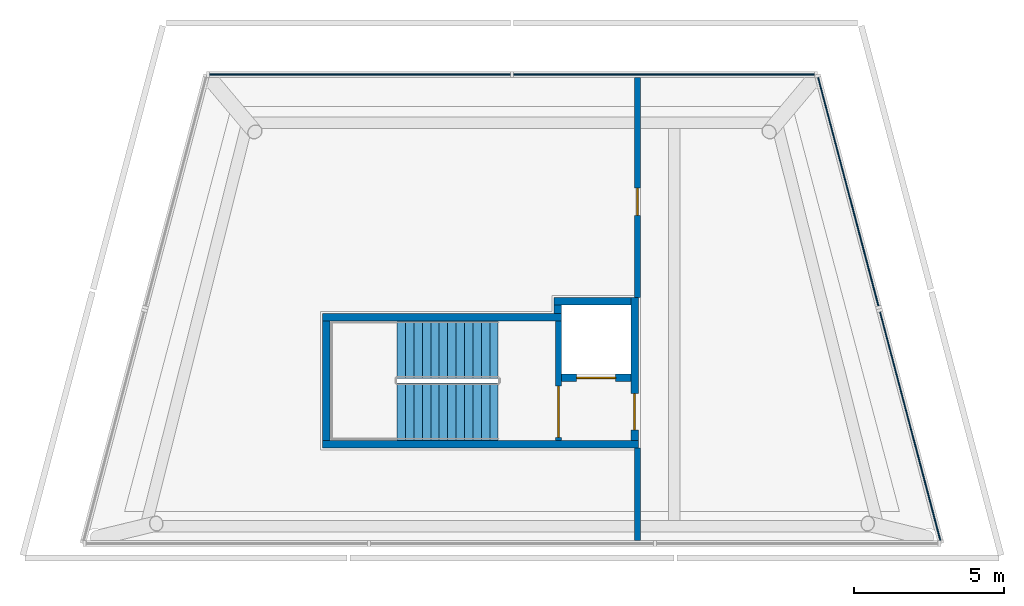
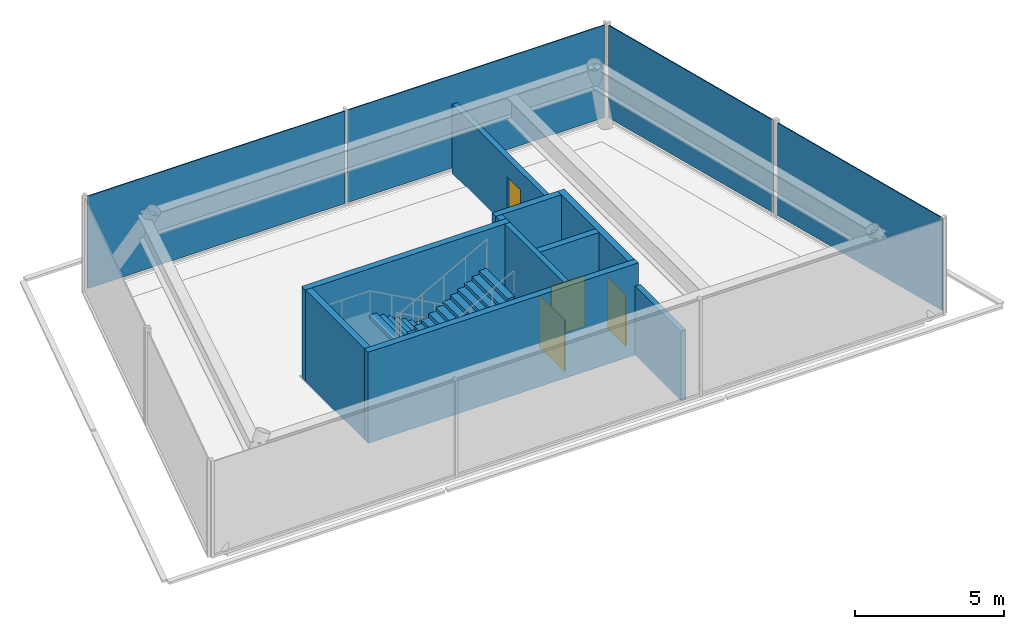
# One storey, part 2 of 3: 10 walls, 4 doors, 4 plates, 2 stair flights, 4 openings, 4 elements without a shape of their own.
"""IFC4 building model written with IfcOpenShell, lengths in metres."""

from ifc_helpers import new_model, si_unit, direction, frame, frame_2d, origin, origin_2d, place, context, subcontext, project, spatial, polyline, rectangle, outline, extrude, material, layer, layer_set, type_object, element, fill, aggregate, save


model = new_model("IFC4")

# Units and contexts
model_context = context("Model", 3, precision=1e-05, world=origin(), true_north=direction((0.0, 1.0)))
body_context = subcontext(model_context, "Body", "Model", "MODEL_VIEW")
ifc_project = project(units=[si_unit("LENGTHUNIT", "METRE"), si_unit("AREAUNIT", "SQUARE_METRE"), si_unit("VOLUMEUNIT", "CUBIC_METRE"), si_unit("PLANEANGLEUNIT", "RADIAN"), si_unit("MASSUNIT", "GRAM", prefix="KILO")], contexts=[model_context])

# Site, building, storey
site_placement = place(None, origin())
site = spatial("IfcSite", under=ifc_project, at=site_placement, CompositionType="ELEMENT")
building_placement = place(site_placement, origin())
building = spatial("IfcBuilding", under=site, at=building_placement, Name="Quipu Civic Tower", CompositionType="ELEMENT")
storey_placement = place(building_placement, frame((0.0, 0.0, 376.0)))
storey = spatial("IfcBuildingStorey", under=building, at=storey_placement, Name="L87", CompositionType="ELEMENT", Elevation=376.0)

# Curtain wall, plate
ifc_material_1 = material(Name="Insulated glass unit", Category="glass")
curtain_wall_type_1 = type_object("IfcCurtainWallType", Name="Crown glass facets CW6", PredefinedType="NOTDEFINED", material=ifc_material_1)
curtain_wall_1_placement = place(storey_placement, origin())
curtain_wall_1 = element("IfcCurtainWall", 1, at=curtain_wall_1_placement, inside=storey, type_object=curtain_wall_type_1, Name="Crown glass facets CW6 L87 run 2b", PredefinedType="NOTDEFINED")
ifc_material_2 = material(Name="Insulated glass unit", Category="glass")
ifc_layer_1 = layer(ifc_material_2, 0.0400390625)
ifc_layer_set_1 = layer_set([ifc_layer_1], Name="Insulated glass unit")
plate_type_1 = type_object("IfcPlateType", Name="Glass panel CW6", PredefinedType="CURTAIN_PANEL", material=ifc_layer_set_1)
plate_1_placement = place(storey_placement, frame((11.18359375, 2.070068359375, 0.14990234375), z_axis=(0.0, 0.0, 1.0), x_axis=(-0.255312635642, 0.966858551227, 0.0)))
plate_1 = element("IfcPlate", 2, at=plate_1_placement, type_object=plate_type_1, Name="CW6 panel 1.1", PredefinedType="CURTAIN_PANEL", context=body_context, shape_type="SweptSolid", body=[
    extrude(rectangle(XDim=7.867431640625, YDim=0.0400390625, at=origin_2d()), origin(), (0.0, 0.0, 1.0), 3.800048828125),
])
aggregate(curtain_wall_1, [plate_1])

# Curtain wall, plates
curtain_wall_2_placement = place(storey_placement, origin())
curtain_wall_2 = element("IfcCurtainWall", 3, at=curtain_wall_2_placement, inside=storey, type_object=curtain_wall_type_1, Name="Crown glass facets CW6 L87 run 3", PredefinedType="NOTDEFINED")
plate_2_placement = place(storey_placement, frame((5.0517578125, 5.969970703125, 0.14990234375), z_axis=(0.0, 0.0, 1.0), x_axis=(-1.0, 0.0, 0.0)))
plate_2 = element("IfcPlate", 4, at=plate_2_placement, type_object=plate_type_1, Name="CW6 panel 1.1", PredefinedType="CURTAIN_PANEL", context=body_context, shape_type="SweptSolid", body=[
    extrude(rectangle(XDim=10.003662109375, YDim=0.0400390625, at=origin_2d()), origin(), (0.0, 0.0, 1.0), 3.800048828125),
])
plate_3_placement = place(storey_placement, frame((-5.0517578125, 5.969970703125, 0.14990234375), z_axis=(0.0, 0.0, 1.0), x_axis=(-1.0, 0.0, 0.0)))
plate_3 = element("IfcPlate", 5, at=plate_3_placement, type_object=plate_type_1, Name="CW6 panel 2.1", PredefinedType="CURTAIN_PANEL", context=body_context, shape_type="SweptSolid", body=[
    extrude(rectangle(XDim=10.003662109375, YDim=0.0400390625, at=origin_2d()), origin(), (0.0, 0.0, 1.0), 3.800048828125),
])
aggregate(curtain_wall_2, [plate_2, plate_3])

# Curtain wall, plate
ifc_material_3 = material(Name="Anodised aluminium insulated panel", Category="aluminium")
curtain_wall_type_2 = type_object("IfcCurtainWallType", Name="Insulated infill wall CW6I", PredefinedType="NOTDEFINED", material=ifc_material_3)
curtain_wall_3_placement = place(storey_placement, origin())
curtain_wall_3 = element("IfcCurtainWall", 6, at=curtain_wall_3_placement, inside=storey, type_object=curtain_wall_type_2, Name="Insulated infill wall CW6I L87 run 2a", PredefinedType="NOTDEFINED")
ifc_material_4 = material(Name="Anodised aluminium insulated panel", Category="aluminium")
ifc_layer_2 = layer(ifc_material_4, 0.0400390625)
ifc_layer_set_2 = layer_set([ifc_layer_2], Name="Anodised aluminium insulated panel")
plate_type_2 = type_object("IfcPlateType", Name="Insulated panel CW6I", PredefinedType="CURTAIN_PANEL", material=ifc_layer_set_2)
plate_4_placement = place(storey_placement, frame((13.2431640625, -5.72998046875, 0.14990234375), z_axis=(0.0, 0.0, 1.0), x_axis=(-0.255312635642, 0.966858551227, 0.0)))
plate_4 = element("IfcPlate", 7, at=plate_4_placement, type_object=plate_type_2, Name="CW6I panel 1.1", PredefinedType="CURTAIN_PANEL", context=body_context, shape_type="SweptSolid", body=[
    extrude(rectangle(XDim=7.867431640625, YDim=0.0400390625, at=origin_2d()), origin(), (0.0, 0.0, 1.0), 3.800048828125),
])
aggregate(curtain_wall_3, [plate_4])

# Wall
ifc_material_5 = material(Name="Fired clay blockwork", Category="masonry")
ifc_layer_3 = layer(ifc_material_5, 0.199951171875)
ifc_layer_set_3 = layer_set([ifc_layer_3], Name="Fired clay blockwork")
wall_type_1 = type_object("IfcWallType", Name="Blockwork wall 200", PredefinedType="SOLIDWALL", material=ifc_layer_set_3)
wall_1_placement = place(storey_placement, frame((4.179931640625, -9.530029296875, 0.0), z_axis=(0.0, 0.0, 1.0), x_axis=(0.0, 1.0, 0.0)))
element("IfcWall", 8, at=wall_1_placement, inside=storey, type_object=wall_type_1, Name="Partition P01", PredefinedType="SOLIDWALL", context=body_context, shape_type="SweptSolid", body=[
    extrude(rectangle(XDim=3.080078125, YDim=0.199951171875, at=frame_2d((1.5400390625, 0.0))), origin(), (0.0, 0.0, 1.0), 2.838134765625),
])

# Wall, opening, door
wall_2_placement = place(storey_placement, frame((4.179931640625, -1.449951171875, 0.0), z_axis=(0.0, 0.0, 1.0), x_axis=(0.0, 1.0, 0.0)))
wall_2 = element("IfcWall", 9, at=wall_2_placement, inside=storey, type_object=wall_type_1, Name="Partition P02", PredefinedType="SOLIDWALL", context=body_context, shape_type="SweptSolid", body=[
    extrude(rectangle(XDim=7.320068359375, YDim=0.199951171875, at=frame_2d((3.66015625, 0.0))), origin(), (0.0, 0.0, 1.0), 2.838134765625),
])
opening_1_placement = place(wall_2_placement, frame((2.735107421875, 0.0, 0.0)))
opening_1 = element("IfcOpeningElement", 10, at=opening_1_placement, cuts=wall_2, Name="Opening D001", PredefinedType="OPENING", context=body_context, shape_type="SweptSolid", body=[
    extrude(rectangle(XDim=0.89990234375, YDim=2.10009765625, at=frame_2d((0.449951171875, 1.050048828125))), frame((0.0, 0.10986328125, 0.0), z_axis=(0.0, -1.0, 0.0), x_axis=(1.0, 0.0, 0.0)), (0.0, 0.0, 1.0), 0.219970703125),
])
ifc_material_6 = material(Name="Fire rated timber door set with metal frame", Category="wood")
door_type_1 = type_object("IfcDoorType", Name="Single door 900 x 2100 FD60", OperationType="NOTDEFINED", PredefinedType="DOOR", material=ifc_material_6)
door_1_placement = place(opening_1_placement, origin())
door_1 = element("IfcDoor", 11, at=door_1_placement, inside=storey, type_object=door_type_1, Name="Door D001", OperationType="SINGLE_SWING_RIGHT", OverallHeight=2.10009765625, OverallWidth=0.89990234375, PredefinedType="DOOR", context=body_context, shape_type="SweptSolid", body=[
    extrude(rectangle(XDim=0.89990234375, YDim=2.10009765625, at=frame_2d((0.449951171875, 1.050048828125))), frame((0.0, 0.02490234375, 0.0), z_axis=(0.0, -1.0, 0.0), x_axis=(1.0, 0.0, 0.0)), (0.0, 0.0, 1.0), 0.050048828125),
])
fill(opening_1, door_1)

ifc_material_7 = material(Name="Concrete C70/85", Category="concrete")
ifc_layer_4 = layer(ifc_material_7, 0.199951171875)
ifc_layer_set_4 = layer_set([ifc_layer_4], Name="Concrete C70/85")
wall_type_2 = type_object("IfcWallType", Name="Core wall 200", PredefinedType="SHEAR", material=ifc_layer_set_4)
wall_3_placement = place(storey_placement, frame((1.550048828125, -6.199951171875, 0.0), z_axis=(0.0, 0.0, 1.0), x_axis=(0.0, 1.0, 0.0)))
wall_3 = element("IfcWall", 12, at=wall_3_placement, inside=storey, type_object=wall_type_2, Name="Core wall", PredefinedType="SHEAR", context=body_context, shape_type="SweptSolid", body=[
    extrude(rectangle(XDim=3.969970703125, YDim=0.199951171875, at=frame_2d((1.98486328125, 0.0))), origin(), (0.0, 0.0, 1.0), 3.75),
])
opening_2_placement = place(wall_3_placement, frame((0.10009765625, 0.0, 0.0)))
opening_2 = element("IfcOpeningElement", 13, at=opening_2_placement, cuts=wall_3, Name="Opening CD-01", PredefinedType="OPENING", context=body_context, shape_type="SweptSolid", body=[
    extrude(rectangle(XDim=1.699951171875, YDim=2.10009765625, at=frame_2d((0.85009765625, 1.050048828125))), frame((0.0, 0.10986328125, 0.0), z_axis=(0.0, -1.0, 0.0), x_axis=(1.0, 0.0, 0.0)), (0.0, 0.0, 1.0), 0.219970703125),
])
ifc_material_8 = material(Name="Fire rated steel door", Category="steel")
door_type_2 = type_object("IfcDoorType", Name="Fire door FD90 double 1700 x 2100", OperationType="NOTDEFINED", PredefinedType="DOOR", material=ifc_material_8)
door_2_placement = place(opening_2_placement, origin())
door_2 = element("IfcDoor", 14, at=door_2_placement, inside=storey, type_object=door_type_2, Name="Door", OperationType="DOUBLE_DOOR_SINGLE_SWING", OverallHeight=2.10009765625, OverallWidth=1.699951171875, PredefinedType="DOOR", context=body_context, shape_type="SweptSolid", body=[
    extrude(rectangle(XDim=1.699951171875, YDim=2.10009765625, at=frame_2d((0.85009765625, 1.050048828125))), frame((0.0, 0.02490234375, 0.0), z_axis=(0.0, -1.0, 0.0), x_axis=(1.0, 0.0, 0.0)), (0.0, 0.0, 1.0), 0.050048828125),
])
fill(opening_2, door_2)

# Walls
ifc_material_9 = material(Name="Concrete C70/85", Category="concrete")
ifc_layer_5 = layer(ifc_material_9, 0.25)
ifc_layer_set_5 = layer_set([ifc_layer_5], Name="Concrete C70/85")
wall_type_3 = type_object("IfcWallType", Name="Core wall 250", PredefinedType="SHEAR", material=ifc_layer_set_5)
wall_4_placement = place(storey_placement, frame((-6.300048828125, -6.324951171875, 0.0), z_axis=(0.0, 0.0, 1.0), x_axis=(1.0, 0.0, 0.0)))
element("IfcWall", 15, at=wall_4_placement, inside=storey, type_object=wall_type_3, Name="Core wall", PredefinedType="SHEAR", context=body_context, shape_type="SweptSolid", body=[
    extrude(rectangle(XDim=10.5, YDim=0.25, at=frame_2d((5.25, 0.0))), origin(), (0.0, 0.0, 1.0), 3.75),
])
wall_5_placement = place(storey_placement, frame((-6.175048828125, -6.199951171875, 0.0), z_axis=(0.0, 0.0, 1.0), x_axis=(0.0, 1.0, 0.0)))
element("IfcWall", 16, at=wall_5_placement, inside=storey, type_object=wall_type_3, Name="Core wall", PredefinedType="SHEAR", context=body_context, shape_type="SweptSolid", body=[
    extrude(rectangle(XDim=3.969970703125, YDim=0.25, at=frame_2d((1.98486328125, 0.0))), origin(), (0.0, 0.0, 1.0), 3.75),
])

# Wall, opening, door
wall_6_placement = place(storey_placement, frame((4.074951171875, -6.199951171875, 0.0), z_axis=(0.0, 0.0, 1.0), x_axis=(0.0, 1.0, 0.0)))
wall_6 = element("IfcWall", 17, at=wall_6_placement, inside=storey, type_object=wall_type_3, Name="Core wall", PredefinedType="SHEAR", context=body_context, shape_type="SweptSolid", body=[
    extrude(rectangle(XDim=4.75, YDim=0.25, at=frame_2d((2.375, 0.0))), origin(), (0.0, 0.0, 1.0), 3.75),
])
opening_3_placement = place(wall_6_placement, frame((0.35009765625, 0.0, 0.0)))
opening_3 = element("IfcOpeningElement", 18, at=opening_3_placement, cuts=wall_6, Name="Opening CD-02", PredefinedType="OPENING", context=body_context, shape_type="SweptSolid", body=[
    extrude(rectangle(XDim=1.199951171875, YDim=2.10009765625, at=frame_2d((0.60009765625, 1.050048828125))), frame((0.0, 0.135009765625, 0.0), z_axis=(0.0, -1.0, 0.0), x_axis=(1.0, 0.0, 0.0)), (0.0, 0.0, 1.0), 0.27001953125),
])
ifc_material_10 = material(Name="Fire rated steel door", Category="steel")
door_type_3 = type_object("IfcDoorType", Name="Fire door FD90 1200 x 2100", OperationType="NOTDEFINED", PredefinedType="DOOR", material=ifc_material_10)
door_3_placement = place(opening_3_placement, origin())
door_3 = element("IfcDoor", 19, at=door_3_placement, inside=storey, type_object=door_type_3, Name="Lobby door", OperationType="SINGLE_SWING_LEFT", OverallHeight=2.10009765625, OverallWidth=1.199951171875, PredefinedType="DOOR", context=body_context, shape_type="SweptSolid", body=[
    extrude(rectangle(XDim=1.199951171875, YDim=2.10009765625, at=frame_2d((0.60009765625, 1.050048828125))), frame((0.0, 0.02490234375, 0.0), z_axis=(0.0, -1.0, 0.0), x_axis=(1.0, 0.0, 0.0)), (0.0, 0.0, 1.0), 0.050048828125),
])
fill(opening_3, door_3)

wall_7_placement = place(storey_placement, frame((1.64990234375, -4.125, 0.0), z_axis=(0.0, 0.0, 1.0), x_axis=(1.0, 0.0, 0.0)))
wall_7 = element("IfcWall", 20, at=wall_7_placement, inside=storey, type_object=wall_type_3, Name="Core wall", PredefinedType="SHEAR", context=body_context, shape_type="SweptSolid", body=[
    extrude(rectangle(XDim=2.300048828125, YDim=0.25, at=frame_2d((1.14990234375, 0.0))), origin(), (0.0, 0.0, 1.0), 3.75),
])
opening_4_placement = place(wall_7_placement, frame((0.5, 0.0, 0.0)))
opening_4 = element("IfcOpeningElement", 21, at=opening_4_placement, cuts=wall_7, Name="Opening LD-FF3", PredefinedType="OPENING", context=body_context, shape_type="SweptSolid", body=[
    extrude(rectangle(XDim=1.300048828125, YDim=2.10009765625, at=frame_2d((0.64990234375, 1.050048828125))), frame((0.0, 0.135009765625, 0.0), z_axis=(0.0, -1.0, 0.0), x_axis=(1.0, 0.0, 0.0)), (0.0, 0.0, 1.0), 0.27001953125),
])
ifc_material_11 = material(Name="Stainless steel", Category="steel")
door_type_4 = type_object("IfcDoorType", Name="Lift landing door 1300 x 2100", OperationType="DOUBLE_DOOR_SLIDING", PredefinedType="DOOR", material=ifc_material_11)
door_4_placement = place(opening_4_placement, origin())
door_4 = element("IfcDoor", 22, at=door_4_placement, inside=storey, type_object=door_type_4, Name="Landing door FF3", OperationType="DOUBLE_DOOR_SLIDING", OverallHeight=2.10009765625, OverallWidth=1.300048828125, PredefinedType="DOOR", context=body_context, shape_type="SweptSolid", body=[
    extrude(rectangle(XDim=1.300048828125, YDim=2.10009765625, at=frame_2d((0.64990234375, 1.050048828125))), frame((0.0, 0.02490234375, 0.0), z_axis=(0.0, -1.0, 0.0), x_axis=(1.0, 0.0, 0.0)), (0.0, 0.0, 1.0), 0.050048828125),
])
fill(opening_4, door_4)

# Walls
wall_8_placement = place(storey_placement, frame((-6.300048828125, -2.10498046875, 0.0), z_axis=(0.0, 0.0, 1.0), x_axis=(1.0, 0.0, 0.0)))
element("IfcWall", 23, at=wall_8_placement, inside=storey, type_object=wall_type_3, Name="Core wall", PredefinedType="SHEAR", context=body_context, shape_type="SweptSolid", body=[
    extrude(rectangle(XDim=7.949951171875, YDim=0.25, at=frame_2d((3.97509765625, 0.0))), origin(), (0.0, 0.0, 1.0), 3.75),
])
wall_9_placement = place(storey_placement, frame((1.52490234375, -1.97998046875, 0.0), z_axis=(0.0, 0.0, 1.0), x_axis=(0.0, 1.0, 0.0)))
element("IfcWall", 24, at=wall_9_placement, inside=storey, type_object=wall_type_3, Name="Core wall", PredefinedType="SHEAR", context=body_context, shape_type="SweptSolid", body=[
    extrude(rectangle(XDim=0.280029296875, YDim=0.25, at=frame_2d((0.14013671875, 0.0))), origin(), (0.0, 0.0, 1.0), 3.75),
])
wall_10_placement = place(storey_placement, frame((1.39990234375, -1.574951171875, 0.0), z_axis=(0.0, 0.0, 1.0), x_axis=(1.0, 0.0, 0.0)))
element("IfcWall", 25, at=wall_10_placement, inside=storey, type_object=wall_type_3, Name="Core wall", PredefinedType="SHEAR", context=body_context, shape_type="SweptSolid", body=[
    extrude(rectangle(XDim=2.550048828125, YDim=0.25, at=frame_2d((1.27490234375, 0.0))), origin(), (0.0, 0.0, 1.0), 3.75),
])

# Stair, stair flights
ifc_material_12 = material(Name="Concrete C40/50", Category="concrete")
stair_type = type_object("IfcStairType", Name="Half turn stair 1910", PredefinedType="HALF_TURN_STAIR", material=ifc_material_12)
stair_placement = place(storey_placement, origin())
stair = element("IfcStair", 26, at=stair_placement, inside=storey, type_object=stair_type, Name="Crown access stair", PredefinedType="HALF_TURN_STAIR")
ifc_material_13 = material(Name="Concrete C40/50", Category="concrete")
stair_flight_type = type_object("IfcStairFlightType", Name="Stair flight 1910", PredefinedType="STRAIGHT", material=ifc_material_13)
stair_flight_1_placement = place(storey_placement, frame((-0.4599609375, -3.18505859375, 0.0), z_axis=(0.0, 0.0, 1.0), x_axis=(-1.0, 0.0, 0.0)))
stair_flight_1 = element("IfcStairFlight", 27, at=stair_flight_1_placement, type_object=stair_flight_type, Name="ST-5 flight 1", NumberOfRisers=13, NumberOfTreads=12, PredefinedType="STRAIGHT", RiserHeight=0.153846154, TreadLength=0.28, context=body_context, shape_type="SweptSolid", body=[
    extrude(outline(polyline([(0.0, 0.0), (0.0, 0.15380859375), (0.280029296875, 0.15380859375), (0.280029296875, 0.3076171875), (0.56005859375, 0.3076171875), (0.56005859375, 0.46142578125), (0.840087890625, 0.46142578125), (0.840087890625, 0.615478515625), (1.1201171875, 0.615478515625), (1.1201171875, 0.769287109375), (1.39990234375, 0.769287109375), (1.39990234375, 0.923095703125), (1.679931640625, 0.923095703125), (1.679931640625, 1.076904296875), (1.9599609375, 1.076904296875), (1.9599609375, 1.230712890625), (2.239990234375, 1.230712890625), (2.239990234375, 1.384521484375), (2.52001953125, 1.384521484375), (2.52001953125, 1.53857421875), (2.800048828125, 1.53857421875), (2.800048828125, 1.6923828125), (3.080078125, 1.6923828125), (3.080078125, 1.84619140625), (3.360107421875, 1.84619140625), (3.360107421875, 2.0), (3.360107421875, 1.708984375), (0.24951171875, 0.0), (0.0, 0.0)])), frame((0.0, 0.955078125, 0.0), z_axis=(0.0, -1.0, 0.0), x_axis=(1.0, 0.0, 0.0)), (0.0, 0.0, 1.0), 1.909912109375),
])
stair_flight_2_placement = place(storey_placement, frame((-3.820068359375, -5.2451171875, 2.0), z_axis=(0.0, 0.0, 1.0), x_axis=(1.0, 0.0, 0.0)))
stair_flight_2 = element("IfcStairFlight", 28, at=stair_flight_2_placement, type_object=stair_flight_type, Name="ST-5 flight 2", NumberOfRisers=13, NumberOfTreads=12, PredefinedType="STRAIGHT", RiserHeight=0.153846154, TreadLength=0.28, context=body_context, shape_type="SweptSolid", body=[
    extrude(outline(polyline([(0.0, 0.0), (0.0, 0.15380859375), (0.280029296875, 0.15380859375), (0.280029296875, 0.3076171875), (0.56005859375, 0.3076171875), (0.56005859375, 0.46142578125), (0.840087890625, 0.46142578125), (0.840087890625, 0.615478515625), (1.1201171875, 0.615478515625), (1.1201171875, 0.769287109375), (1.39990234375, 0.769287109375), (1.39990234375, 0.923095703125), (1.679931640625, 0.923095703125), (1.679931640625, 1.076904296875), (1.9599609375, 1.076904296875), (1.9599609375, 1.230712890625), (2.239990234375, 1.230712890625), (2.239990234375, 1.384521484375), (2.52001953125, 1.384521484375), (2.52001953125, 1.53857421875), (2.800048828125, 1.53857421875), (2.800048828125, 1.6923828125), (3.080078125, 1.6923828125), (3.080078125, 1.84619140625), (3.360107421875, 1.84619140625), (3.360107421875, 2.0), (3.360107421875, 1.708984375), (0.24951171875, 0.0), (0.0, 0.0)])), frame((0.0, 0.955078125, 0.0), z_axis=(0.0, -1.0, 0.0), x_axis=(1.0, 0.0, 0.0)), (0.0, 0.0, 1.0), 1.909912109375),
])
aggregate(stair, [stair_flight_1, stair_flight_2])

save(model, "model.ifc")
